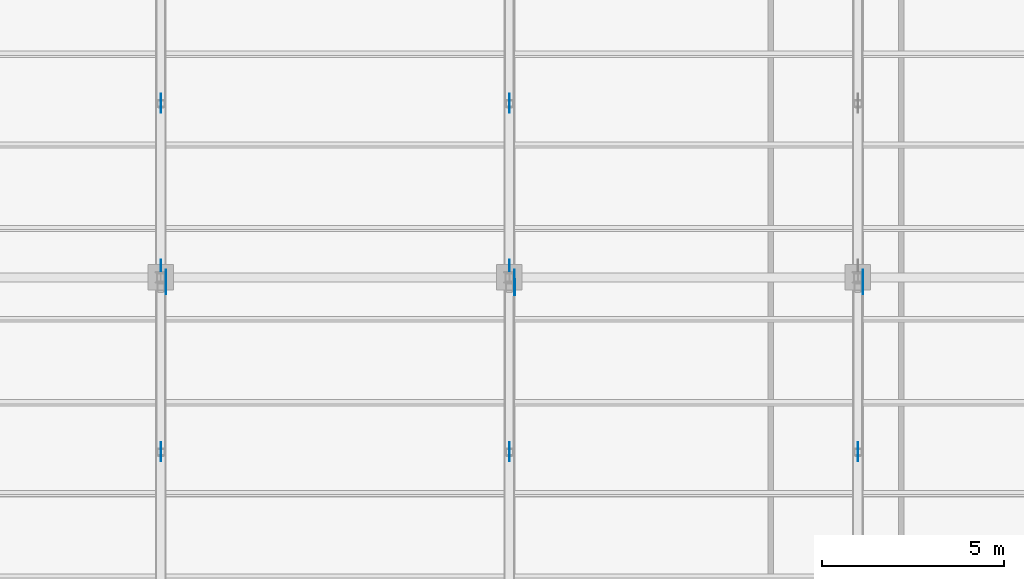
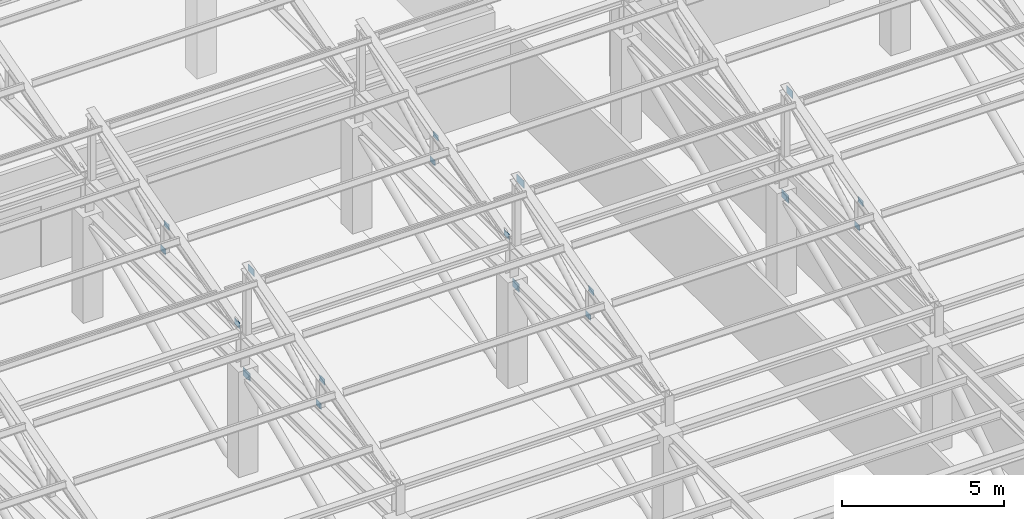
# One storey, part 45 of 71: 18 plates.
"""IFC4 building model written with IfcOpenShell, lengths in metres."""

from ifc_helpers import new_model, si_unit, direction, frame, origin, origin_2d, place, context, subcontext, project, spatial, rectangle, extrude, material, layer, layer_set, type_object, element, save


model = new_model("IFC4")

# Units and contexts
model_context = context("Model", 3, precision=1e-05, world=origin(), true_north=direction((0.0, 1.0)))
body_context = subcontext(model_context, "Body", "Model", "MODEL_VIEW")
ifc_project = project(units=[si_unit("LENGTHUNIT", "METRE"), si_unit("AREAUNIT", "SQUARE_METRE"), si_unit("VOLUMEUNIT", "CUBIC_METRE"), si_unit("PLANEANGLEUNIT", "RADIAN"), si_unit("MASSUNIT", "GRAM", prefix="KILO")], contexts=[model_context])

# Site, building, storey
site_placement = place(None, origin())
site = spatial("IfcSite", under=ifc_project, at=site_placement, CompositionType="ELEMENT")
building_placement = place(site_placement, origin())
building = spatial("IfcBuilding", under=site, at=building_placement, Name="Bempovik Park Faculty of Sciences", CompositionType="ELEMENT")
storey_placement = place(building_placement, frame((0.0, 0.0, 14.10009765625)))
storey = spatial("IfcBuildingStorey", under=building, at=storey_placement, Name="L03", CompositionType="ELEMENT", Elevation=14.10009765625)

# Plates
ifc_material = material(Name="Steel S355", Category="steel")
ifc_layer_1 = layer(ifc_material, 0.01611328125)
ifc_layer_set_1 = layer_set([ifc_layer_1], Name="Steel S355")
plate_type_1 = type_object("IfcPlateType", Name="PL-18 Steel Plate 400x280x16", PredefinedType="SHEET", material=ifc_layer_set_1)
plate_1_placement = place(storey_placement, frame((98.5458984375, 29.1298828125, 7.46435546875), z_axis=(0.0, 0.0, 1.0), x_axis=(1.0, 0.0, 0.0)))
element("IfcPlate", 1, at=plate_1_placement, inside=storey, type_object=plate_type_1, Name="Sawtooth Ridge Gusset Plate V1-B1-98.4", PredefinedType="SHEET", context=body_context, shape_type="SweptSolid", body=[
    extrude(rectangle(XDim=0.01611328125, YDim=0.39990234375, at=origin_2d()), origin(), (0.0, 0.0, 1.0), 0.280029296875),
])
ifc_layer_2 = layer(ifc_material, 0.01806640625)
ifc_layer_set_2 = layer_set([ifc_layer_2], Name="Steel S355")
plate_type_2 = type_object("IfcPlateType", Name="PL-22 Steel Plate 420x300x18", PredefinedType="SHEET", material=ifc_layer_set_2)
for number, where, z_axis, x_axis, name in (
    (2, (79.340087890625, 29.39990234375, 3.3701171875), (0.0, 0.0, 1.0), (1.0, 0.0, 0.0), "Cantilever Gusset Plate CT3-4-T"),
    (3, (88.93994140625, 29.39990234375, 3.3701171875), (0.0, 0.0, 1.0), (1.0, 0.0, 0.0), "Cantilever Gusset Plate CT4-4-T"),
    (4, (98.5400390625, 29.39990234375, 3.3701171875), (0.0, 0.0, 1.0), (1.0, 0.0, 0.0), "Cantilever Gusset Plate CT5-4-T"),
):
    element("IfcPlate", number, at=place(storey_placement, frame(where, z_axis=z_axis, x_axis=x_axis)), inside=storey, type_object=plate_type_2, Name=name, PredefinedType="SHEET", context=body_context, shape_type="SweptSolid", body=[
        extrude(rectangle(XDim=0.01806640625, YDim=0.419921875, at=origin_2d()), origin(), (0.0, 0.0, 1.0), 0.300048828125),
    ])
ifc_layer_3 = layer(ifc_material, 0.011962890625)
ifc_layer_set_3 = layer_set([ifc_layer_3], Name="Steel S355")
plate_type_3 = type_object("IfcPlateType", Name="PL-26 Steel Plate 320x220x12", PredefinedType="SHEET", material=ifc_layer_set_3)
for number, where, z_axis, x_axis, name in (
    (5, (79.199951171875, 24.4951171875, 6.228515625), (0.0, 0.0, 1.0), (1.0, 0.0, 0.0), "Brace/Strut End Gusset Plate SAW-V1-B1-D1-792-E2"),
    (6, (79.199951171875, 24.705078125, 5.17578125), (0.0, 0.0, 1.0), (1.0, 0.0, 0.0), "Brace/Strut End Gusset Plate SAW-V1-B1-D2-792-E1"),
    (7, (88.800048828125, 24.4951171875, 6.228515625), (0.0, 0.0, 1.0), (1.0, 0.0, 0.0), "Brace/Strut End Gusset Plate SAW-V1-B1-D1-888-E2"),
    (8, (88.800048828125, 24.705078125, 5.17578125), (0.0, 0.0, 1.0), (1.0, 0.0, 0.0), "Brace/Strut End Gusset Plate SAW-V1-B1-D2-888-E1"),
    (9, (98.39990234375, 24.4951171875, 6.228515625), (0.0, 0.0, 1.0), (1.0, 0.0, 0.0), "Brace/Strut End Gusset Plate SAW-V1-B1-D1-984-E2"),
    (10, (98.39990234375, 24.705078125, 5.17578125), (0.0, 0.0, 1.0), (1.0, 0.0, 0.0), "Brace/Strut End Gusset Plate SAW-V1-B1-D2-984-E1"),
    (11, (79.199951171875, 29.72998046875, 5.17578125), (0.0, 0.0, 1.0), (1.0, 0.0, 0.0), "Brace/Strut End Gusset Plate SAW-V1-B2-D1-792-E1"),
    (12, (79.199951171875, 34.094970703125, 6.228515625), (0.0, 0.0, 1.0), (1.0, 0.0, 0.0), "Brace/Strut End Gusset Plate SAW-V1-B2-D1-792-E2"),
    (13, (79.199951171875, 34.304931640625, 5.17578125), (0.0, 0.0, 1.0), (1.0, 0.0, 0.0), "Brace/Strut End Gusset Plate SAW-V1-B2-D2-792-E1"),
    (14, (88.800048828125, 29.72998046875, 5.17578125), (0.0, 0.0, 1.0), (1.0, 0.0, 0.0), "Brace/Strut End Gusset Plate SAW-V1-B2-D1-888-E1"),
    (15, (88.800048828125, 34.094970703125, 6.228515625), (0.0, 0.0, 1.0), (1.0, 0.0, 0.0), "Brace/Strut End Gusset Plate SAW-V1-B2-D1-888-E2"),
    (16, (88.800048828125, 34.304931640625, 5.17578125), (0.0, 0.0, 1.0), (1.0, 0.0, 0.0), "Brace/Strut End Gusset Plate SAW-V1-B2-D2-888-E1"),
):
    element("IfcPlate", number, at=place(storey_placement, frame(where, z_axis=z_axis, x_axis=x_axis)), inside=storey, type_object=plate_type_3, Name=name, PredefinedType="SHEET", context=body_context, shape_type="SweptSolid", body=[
        extrude(rectangle(XDim=0.011962890625, YDim=0.320068359375, at=origin_2d()), origin(), (0.0, 0.0, 1.0), 0.219970703125),
    ])
ifc_layer_4 = layer(ifc_material, 0.02001953125)
ifc_layer_set_4 = layer_set([ifc_layer_4], Name="Steel S355")
plate_type_4 = type_object("IfcPlateType", Name="PL-36 Steel Plate 450x280x20", PredefinedType="USERDEFINED", material=ifc_layer_set_4)
plate_2_placement = place(storey_placement, frame((88.947998046875, 29.1298828125, 7.46435546875), z_axis=(0.0, 0.0, 1.0), x_axis=(1.0, 0.0, 0.0)))
element("IfcPlate", 17, at=plate_2_placement, inside=storey, type_object=plate_type_4, Name="Sawtooth Ridge Gusset Plate V1-B1-88.8", ObjectType="STIFFENER PLATE", PredefinedType="USERDEFINED", context=body_context, shape_type="SweptSolid", body=[
    extrude(rectangle(XDim=0.02001953125, YDim=0.449951171875, at=origin_2d()), origin(), (0.0, 0.0, 1.0), 0.280029296875),
])
ifc_layer_5 = layer(ifc_material, 0.01611328125)
ifc_layer_set_5 = layer_set([ifc_layer_5], Name="Steel S355")
plate_type_5 = type_object("IfcPlateType", Name="PL-50 Steel Plate 380x260x16", PredefinedType="SHEET", material=ifc_layer_set_5)
plate_3_placement = place(storey_placement, frame((79.345947265625, 29.1298828125, 7.474609375), z_axis=(0.0, 0.0, 1.0), x_axis=(1.0, 0.0, 0.0)))
element("IfcPlate", 18, at=plate_3_placement, inside=storey, type_object=plate_type_5, Name="Sawtooth Ridge Gusset Plate V1-B1-79.2", PredefinedType="SHEET", context=body_context, shape_type="SweptSolid", body=[
    extrude(rectangle(XDim=0.01611328125, YDim=0.3798828125, at=origin_2d()), origin(), (0.0, 0.0, 1.0), 0.260009765625),
])

save(model, "model.ifc")
